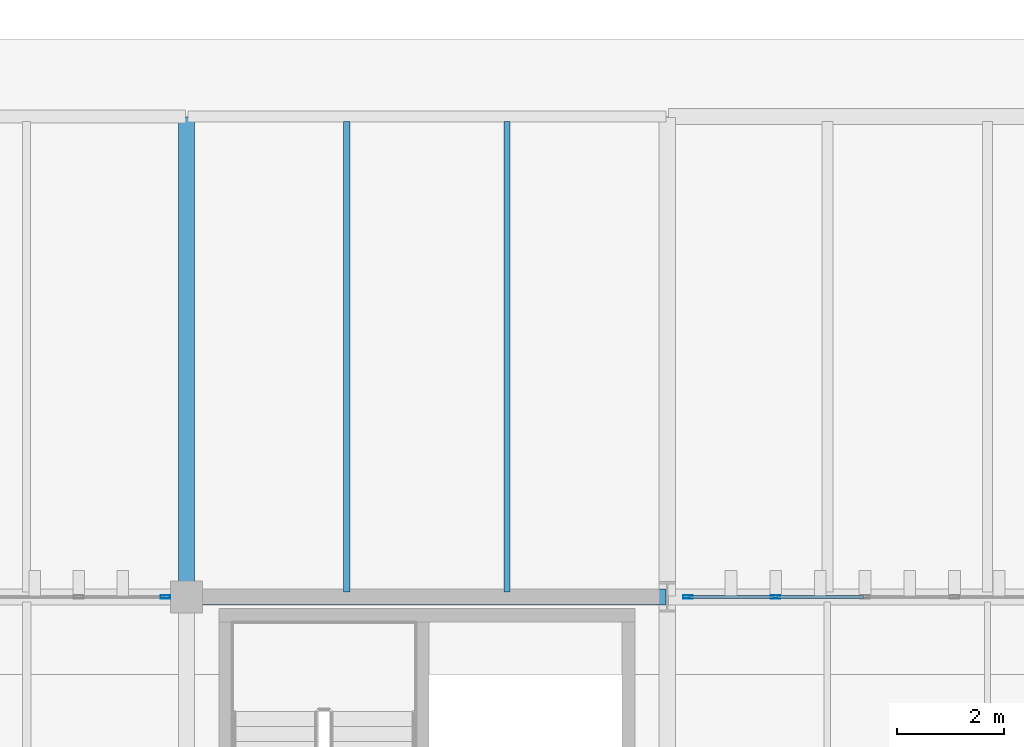
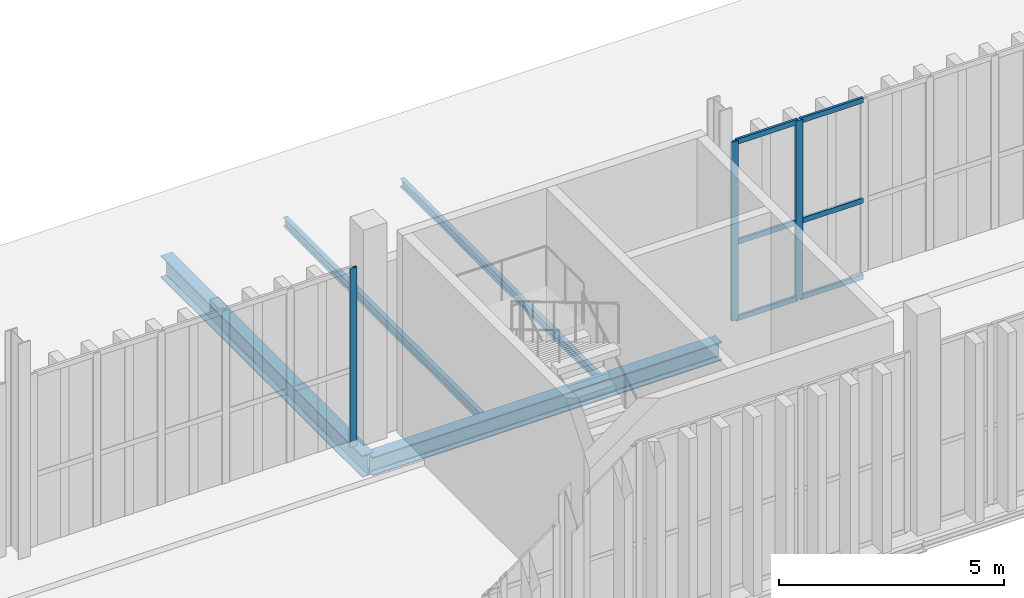
# One storey, part 153 of 237: 9 members, 4 beams, 2 elements without a shape of their own.
"""IFC4 building model written with IfcOpenShell, lengths in metres."""

from ifc_helpers import new_model, si_unit, direction, frame, origin, origin_2d, place, context, subcontext, project, spatial, hollow_rectangle, i_section, extrude, material, layer, layer_set, material_profile, profile_set, type_object, element, aggregate, save


model = new_model("IFC4")

# Units and contexts
model_context = context("Model", 3, precision=1e-05, world=origin(), true_north=direction((0.0, 1.0)))
body_context = subcontext(model_context, "Body", "Model", "MODEL_VIEW")
ifc_project = project(units=[si_unit("LENGTHUNIT", "METRE"), si_unit("AREAUNIT", "SQUARE_METRE"), si_unit("VOLUMEUNIT", "CUBIC_METRE"), si_unit("PLANEANGLEUNIT", "RADIAN"), si_unit("MASSUNIT", "GRAM", prefix="KILO")], contexts=[model_context])

# Site, building, storey
site_placement = place(None, origin())
site = spatial("IfcSite", under=ifc_project, at=site_placement, CompositionType="ELEMENT")
building_placement = place(site_placement, origin())
building = spatial("IfcBuilding", under=site, at=building_placement, Name="Barlavento Convention Centre", CompositionType="ELEMENT")
storey_placement = place(building_placement, frame((0.0, 0.0, 12.0)))
storey = spatial("IfcBuildingStorey", under=building, at=storey_placement, Name="L02", CompositionType="ELEMENT", Elevation=12.0)

# Curtain wall, member
ifc_material_1 = material(Name="Powder-coated aluminium and Low-E glass", Category="aluminium")
ifc_layer = layer(ifc_material_1, 0.195068359375)
ifc_layer_set = layer_set([ifc_layer], Name="ARC-CW-BALL-L02")
curtain_wall_type = type_object("IfcCurtainWallType", Name="ARC-CW-BALL-L02", PredefinedType="NOTDEFINED", material=ifc_layer_set)
curtain_wall_1_placement = place(storey_placement, origin())
curtain_wall_1 = element("IfcCurtainWall", 1, at=curtain_wall_1_placement, inside=storey, type_object=curtain_wall_type, Name="L02 unitised curtain wall CW07", PredefinedType="NOTDEFINED")
ifc_material_2 = material(Name="Powder-coated aluminium", Category="aluminium")
ifc_material_profile_1 = material_profile(ifc_material_2, hollow_rectangle(XDim=0.06005859375, YDim=0.179931640625, WallThickness=0.0048828125, at=origin_2d()), Name="AL-MULL 60x180x5")
ifc_profile_set_1 = profile_set([ifc_material_profile_1], Name="Powder-coated aluminium")
member_type_1 = type_object("IfcMemberType", Name="ARC-CWM-60X180", PredefinedType="MULLION", material=ifc_profile_set_1)
member_1_placement = place(storey_placement, frame((143.60009765625, 99.0, 0.0), z_axis=(0.0, 0.0, 1.0), x_axis=(0.0, 1.0, 0.0)))
member_1 = element("IfcMember", 2, at=member_1_placement, type_object=member_type_1, Name="CW07 mullion 6", PredefinedType="MULLION", context=body_context, shape_type="SweptSolid", body=[
    extrude(hollow_rectangle(XDim=0.06005859375, YDim=0.179931640625, WallThickness=0.0048828125, at=origin_2d()), origin(), (0.0, 0.0, 1.0), 4.85009765625),
])
aggregate(curtain_wall_1, [member_1])

# Curtain wall, members
curtain_wall_2_placement = place(storey_placement, origin())
curtain_wall_2 = element("IfcCurtainWall", 3, at=curtain_wall_2_placement, inside=storey, type_object=curtain_wall_type, Name="L02 unitised curtain wall CW07", PredefinedType="NOTDEFINED")
member_2_placement = place(storey_placement, frame((153.385986328125, 99.0, 0.0), z_axis=(0.0, 0.0, 1.0), x_axis=(0.0, 1.0, 0.0)))
member_2 = element("IfcMember", 4, at=member_2_placement, type_object=member_type_1, Name="CW07 mullion 1", PredefinedType="MULLION", context=body_context, shape_type="SweptSolid", body=[
    extrude(hollow_rectangle(XDim=0.06005859375, YDim=0.179931640625, WallThickness=0.0048828125, at=origin_2d()), origin(), (0.0, 0.0, 1.0), 4.85009765625),
])
member_3_placement = place(storey_placement, frame((155.0302734375, 99.0, 0.0), z_axis=(0.0, 0.0, 1.0), x_axis=(0.0, 1.0, 0.0)))
member_3 = element("IfcMember", 5, at=member_3_placement, type_object=member_type_1, Name="CW07 mullion 2", PredefinedType="MULLION", context=body_context, shape_type="SweptSolid", body=[
    extrude(hollow_rectangle(XDim=0.06005859375, YDim=0.179931640625, WallThickness=0.0048828125, at=origin_2d()), origin(), (0.0, 0.0, 1.0), 4.85009765625),
])
ifc_material_profile_2 = material_profile(ifc_material_2, hollow_rectangle(XDim=0.06005859375, YDim=0.139892578125, WallThickness=0.00390625, at=origin_2d()), Name="AL-TRAN 60x140x4")
ifc_profile_set_2 = profile_set([ifc_material_profile_2], Name="Powder-coated aluminium")
member_type_2 = type_object("IfcMemberType", Name="ARC-CWT-60X140", PredefinedType="USERDEFINED", material=ifc_profile_set_2)
member_4_placement = place(storey_placement, frame((153.416015625, 99.0, 0.030029296875), z_axis=(1.0, 0.0, 0.0), x_axis=(0.0, 1.0, 0.0)))
member_4 = element("IfcMember", 6, at=member_4_placement, type_object=member_type_2, Name="CW07 transom 1.1", ObjectType="TRANSOM", PredefinedType="USERDEFINED", context=body_context, shape_type="SweptSolid", body=[
    extrude(hollow_rectangle(XDim=0.06005859375, YDim=0.139892578125, WallThickness=0.00390625, at=origin_2d()), origin(), (0.0, 0.0, 1.0), 1.584228515625),
])
member_5_placement = place(storey_placement, frame((153.416015625, 99.0, 2.10009765625), z_axis=(1.0, 0.0, 0.0), x_axis=(0.0, 1.0, 0.0)))
member_5 = element("IfcMember", 7, at=member_5_placement, type_object=member_type_2, Name="CW07 transom 1.2", ObjectType="TRANSOM", PredefinedType="USERDEFINED", context=body_context, shape_type="SweptSolid", body=[
    extrude(hollow_rectangle(XDim=0.06005859375, YDim=0.139892578125, WallThickness=0.00390625, at=origin_2d()), origin(), (0.0, 0.0, 1.0), 1.584228515625),
])
member_6_placement = place(storey_placement, frame((153.416015625, 99.0, 4.820068359375), z_axis=(1.0, 0.0, 0.0), x_axis=(0.0, 1.0, 0.0)))
member_6 = element("IfcMember", 8, at=member_6_placement, type_object=member_type_2, Name="CW07 transom 1.3", ObjectType="TRANSOM", PredefinedType="USERDEFINED", context=body_context, shape_type="SweptSolid", body=[
    extrude(hollow_rectangle(XDim=0.06005859375, YDim=0.139892578125, WallThickness=0.00390625, at=origin_2d()), origin(), (0.0, 0.0, 1.0), 1.584228515625),
])
member_7_placement = place(storey_placement, frame((155.06005859375, 99.0, 0.030029296875), z_axis=(1.0, 0.0, 0.0), x_axis=(0.0, 1.0, 0.0)))
member_7 = element("IfcMember", 9, at=member_7_placement, type_object=member_type_2, Name="CW07 transom 2.1", ObjectType="TRANSOM", PredefinedType="USERDEFINED", context=body_context, shape_type="SweptSolid", body=[
    extrude(hollow_rectangle(XDim=0.06005859375, YDim=0.139892578125, WallThickness=0.00390625, at=origin_2d()), origin(), (0.0, 0.0, 1.0), 1.6142578125),
])
member_8_placement = place(storey_placement, frame((155.06005859375, 99.0, 2.10009765625), z_axis=(1.0, 0.0, 0.0), x_axis=(0.0, 1.0, 0.0)))
member_8 = element("IfcMember", 10, at=member_8_placement, type_object=member_type_2, Name="CW07 transom 2.2", ObjectType="TRANSOM", PredefinedType="USERDEFINED", context=body_context, shape_type="SweptSolid", body=[
    extrude(hollow_rectangle(XDim=0.06005859375, YDim=0.139892578125, WallThickness=0.00390625, at=origin_2d()), origin(), (0.0, 0.0, 1.0), 1.6142578125),
])
member_9_placement = place(storey_placement, frame((155.06005859375, 99.0, 4.820068359375), z_axis=(1.0, 0.0, 0.0), x_axis=(0.0, 1.0, 0.0)))
member_9 = element("IfcMember", 11, at=member_9_placement, type_object=member_type_2, Name="CW07 transom 2.3", ObjectType="TRANSOM", PredefinedType="USERDEFINED", context=body_context, shape_type="SweptSolid", body=[
    extrude(hollow_rectangle(XDim=0.06005859375, YDim=0.139892578125, WallThickness=0.00390625, at=origin_2d()), origin(), (0.0, 0.0, 1.0), 1.6142578125),
])
aggregate(curtain_wall_2, [member_2, member_3, member_4, member_5, member_6, member_7, member_8, member_9])

# Beams
ifc_material_3 = material(Name="Steel S355", Category="steel")
ifc_material_profile_3 = material_profile(ifc_material_3, i_section(OverallWidth=0.110107421875, OverallDepth=0.219970703125, WebThickness=0.005859375, FlangeThickness=0.00927734375, FilletRadius=0.011962890625, at=origin_2d()), Name="IPE 220")
ifc_profile_set_3 = profile_set([ifc_material_profile_3], Name="Steel S355")
beam_type_1 = type_object("IfcBeamType", Name="STR-BM-JST-IPE220", PredefinedType="JOIST", material=ifc_profile_set_3)
beam_1_placement = place(storey_placement, frame((150.0, 99.094970703125, -0.47509765625), z_axis=(0.0, 1.0, 0.0), x_axis=(-1.0, 0.0, 0.0)))
element("IfcBeam", 12, at=beam_1_placement, inside=storey, type_object=beam_type_1, Name="L02 composite floor joist SJ10", PredefinedType="JOIST", context=body_context, shape_type="SweptSolid", body=[
    extrude(i_section(OverallWidth=0.110107421875, OverallDepth=0.219970703125, WebThickness=0.005859375, FlangeThickness=0.00927734375, FilletRadius=0.011962890625, at=origin_2d()), origin(), (0.0, 0.0, 1.0), 8.81005859375),
])
ifc_material_profile_4 = material_profile(ifc_material_3, i_section(OverallWidth=0.1201171875, OverallDepth=0.239990234375, WebThickness=0.006103515625, FlangeThickness=0.009765625, FilletRadius=0.014892578125, at=origin_2d()), Name="IPE 240")
ifc_profile_set_4 = profile_set([ifc_material_profile_4], Name="Steel S355")
beam_type_2 = type_object("IfcBeamType", Name="STR-BM-JST-IPE240", PredefinedType="JOIST", material=ifc_profile_set_4)
beam_2_placement = place(storey_placement, frame((147.0, 99.094970703125, -0.485107421875), z_axis=(0.0, 1.0, 0.0), x_axis=(-1.0, 0.0, 0.0)))
element("IfcBeam", 13, at=beam_2_placement, inside=storey, type_object=beam_type_2, Name="L02 composite floor joist SJ09", PredefinedType="JOIST", context=body_context, shape_type="SweptSolid", body=[
    extrude(i_section(OverallWidth=0.1201171875, OverallDepth=0.239990234375, WebThickness=0.006103515625, FlangeThickness=0.009765625, FilletRadius=0.014892578125, at=origin_2d()), origin(), (0.0, 0.0, 1.0), 8.81005859375),
])
ifc_material_profile_5 = material_profile(ifc_material_3, i_section(OverallWidth=0.300048828125, OverallDepth=0.590087890625, WebThickness=0.012939453125, FlangeThickness=0.02490234375, FilletRadius=0.027099609375, at=origin_2d()), Name="HEA 600")
ifc_profile_set_5 = profile_set([ifc_material_profile_5], Name="Steel S355")
beam_type_3 = type_object("IfcBeamType", Name="STR-BM-PRI-HEA600", PredefinedType="BEAM", material=ifc_profile_set_5)
beam_3_placement = place(storey_placement, frame((144.0, 99.02001953125, -0.659912109375), z_axis=(0.0, 1.0, 0.0), x_axis=(-1.0, 0.0, 0.0)))
element("IfcBeam", 14, at=beam_3_placement, inside=storey, type_object=beam_type_3, Name="L02 grid girder BG18", PredefinedType="BEAM", context=body_context, shape_type="SweptSolid", body=[
    extrude(i_section(OverallWidth=0.300048828125, OverallDepth=0.590087890625, WebThickness=0.012939453125, FlangeThickness=0.02490234375, FilletRadius=0.027099609375, at=origin_2d()), origin(), (0.0, 0.0, 1.0), 8.9599609375),
])
ifc_material_profile_6 = material_profile(ifc_material_3, i_section(OverallWidth=0.300048828125, OverallDepth=0.5, WebThickness=0.014404296875, FlangeThickness=0.028076171875, FilletRadius=0.027099609375, at=origin_2d()), Name="HEB 500")
ifc_profile_set_6 = profile_set([ifc_material_profile_6], Name="Steel S355")
beam_type_4 = type_object("IfcBeamType", Name="STR-BM-PRI-HEB500", PredefinedType="BEAM", material=ifc_profile_set_6)
beam_4_placement = place(storey_placement, frame((144.02001953125, 99.0, -0.614990234375), z_axis=(1.0, 0.0, 0.0), x_axis=(0.0, 1.0, 0.0)))
element("IfcBeam", 15, at=beam_4_placement, inside=storey, type_object=beam_type_4, Name="L02 primary girder BG09", PredefinedType="BEAM", context=body_context, shape_type="SweptSolid", body=[
    extrude(i_section(OverallWidth=0.300048828125, OverallDepth=0.5, WebThickness=0.014404296875, FlangeThickness=0.028076171875, FilletRadius=0.027099609375, at=origin_2d()), origin(), (0.0, 0.0, 1.0), 8.9599609375),
])

save(model, "model.ifc")
